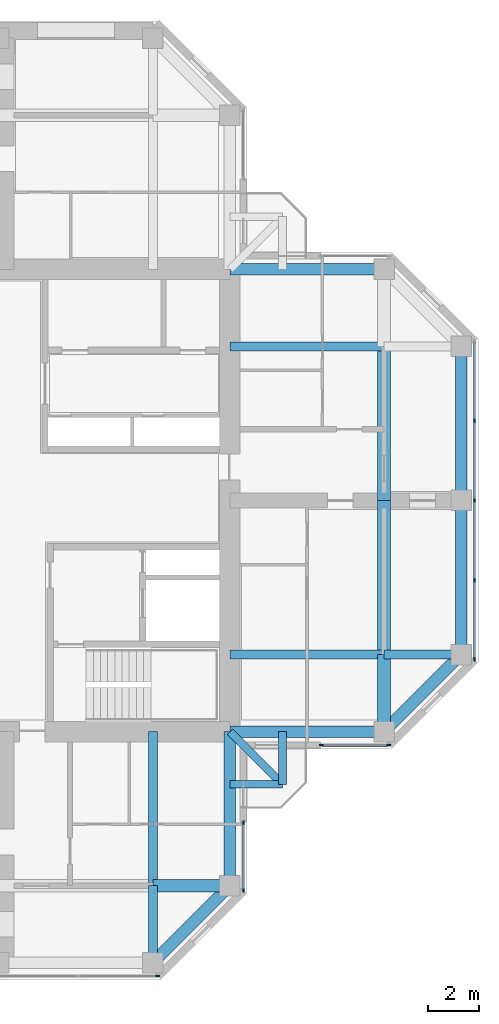
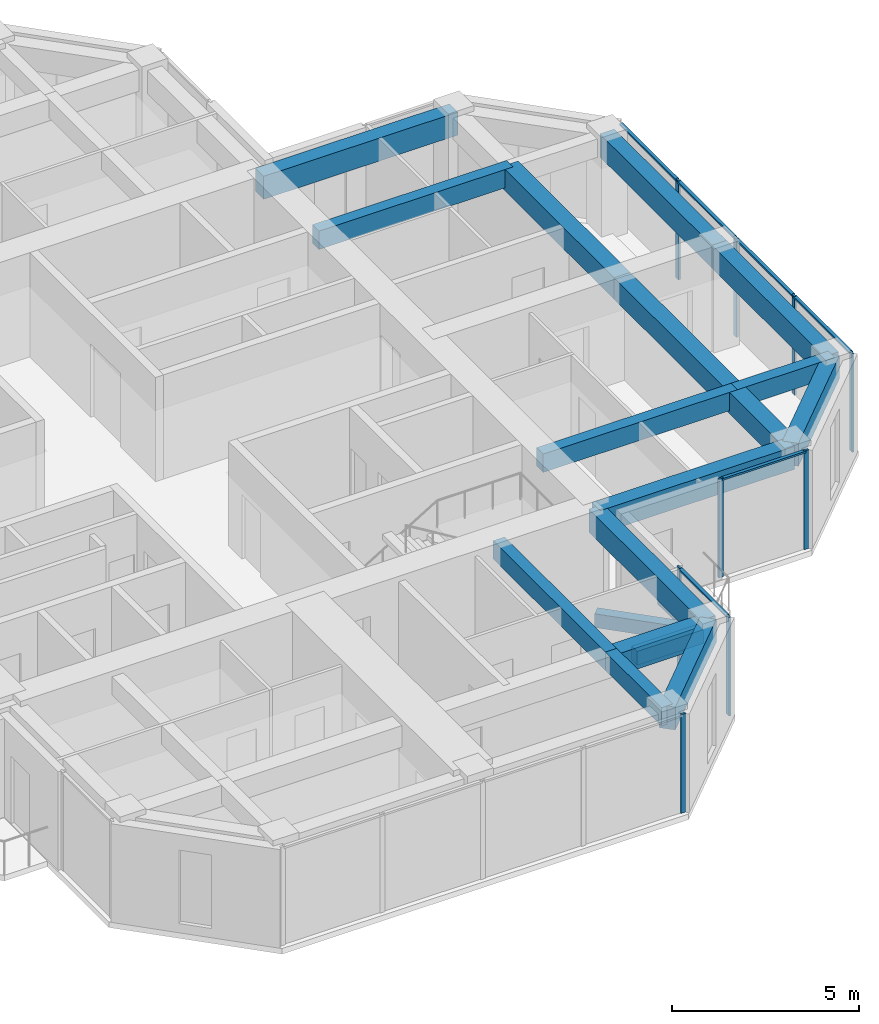
# One storey, part 5 of 13: 19 beams, 15 members, 4 elements without a shape of their own.
"""IFC4 building model written with IfcOpenShell, lengths in metres."""

from ifc_helpers import new_model, si_unit, direction, frame, origin, origin_2d, place, context, subcontext, project, spatial, rectangle, extrude, material, material_profile, profile_set, type_object, element, aggregate, save


model = new_model("IFC4")

# Units and contexts
model_context = context("Model", 3, precision=1e-05, world=origin(), true_north=direction((0.0, 1.0)))
body_context = subcontext(model_context, "Body", "Model", "MODEL_VIEW")
ifc_project = project(units=[si_unit("LENGTHUNIT", "METRE"), si_unit("AREAUNIT", "SQUARE_METRE"), si_unit("VOLUMEUNIT", "CUBIC_METRE"), si_unit("PLANEANGLEUNIT", "RADIAN"), si_unit("MASSUNIT", "GRAM", prefix="KILO")], contexts=[model_context])

# Site, building, storey
site_placement = place(None, origin())
site = spatial("IfcSite", under=ifc_project, at=site_placement, CompositionType="ELEMENT")
building_placement = place(site_placement, origin())
building = spatial("IfcBuilding", under=site, at=building_placement, Name="Torre Cruceta", CompositionType="ELEMENT")
storey_placement = place(building_placement, frame((0.0, 0.0, 239.10009765625)))
storey = spatial("IfcBuildingStorey", under=building, at=storey_placement, Name="L61", CompositionType="ELEMENT", Elevation=239.10009765625)

# Beams
ifc_material_1 = material(Name="Concrete G60 (fck 60 MPa)", Category="concrete")
ifc_material_profile_1 = material_profile(ifc_material_1, rectangle(XDim=0.300048828125, YDim=0.449951171875, at=origin_2d()), Name="RC 300X450")
ifc_profile_set_1 = profile_set([ifc_material_profile_1], Name="Concrete G60 (fck 60 MPa)")
beam_type_1 = type_object("IfcBeamType", Name="BALCONY CANTILEVER BEAM RC 300X450", PredefinedType="BEAM", material=ifc_profile_set_1)
beam_1_placement = place(storey_placement, frame((9.0, -9.0, -0.405029296875), z_axis=(0.707106781187, -0.707106781187, 0.0), x_axis=(0.707106781187, 0.707106781187, 0.0)))
element("IfcBeam", 1, at=beam_1_placement, inside=storey, type_object=beam_type_1, Name="BB1 balcony beam L61 S", PredefinedType="BEAM", context=body_context, shape_type="SweptSolid", body=[
    extrude(rectangle(XDim=0.300048828125, YDim=0.449951171875, at=origin_2d()), origin(), (0.0, 0.0, 1.0), 2.89990234375),
])
for number, where, z_axis, x_axis, name in (
    (2, (11.050537109375, -9.0, -0.405029296875), (0.0, -1.0, 0.0), (1.0, 0.0, 0.0), "BB1 balcony edge beam L61 S-X"),
    (3, (9.0, -11.050537109375, -0.405029296875), (1.0, 0.0, 0.0), (0.0, 1.0, 0.0), "BB1 balcony edge beam L61 S-Y"),
):
    element("IfcBeam", number, at=place(storey_placement, frame(where, z_axis=z_axis, x_axis=x_axis)), inside=storey, type_object=beam_type_1, Name=name, PredefinedType="BEAM", context=body_context, shape_type="SweptSolid", body=[
        extrude(rectangle(XDim=0.300048828125, YDim=0.449951171875, at=origin_2d()), origin(), (0.0, 0.0, 1.0), 2.050537109375),
    ])
ifc_material_2 = material(Name="Concrete G60 (fck 60 MPa)", Category="concrete")
ifc_material_profile_2 = material_profile(ifc_material_2, rectangle(XDim=0.35009765625, YDim=0.60009765625, at=origin_2d()), Name="RC 350X600")
ifc_profile_set_2 = profile_set([ifc_material_profile_2], Name="Concrete G60 (fck 60 MPa)")
beam_type_2 = type_object("IfcBeamType", Name="COLUMN LINE BEAM RC 350X600", PredefinedType="BEAM", material=ifc_profile_set_2)
beam_2_placement = place(storey_placement, frame((9.0, -6.0, 2.919921875), z_axis=(1.0, 0.0, 0.0), x_axis=(0.0, 1.0, 0.0)))
element("IfcBeam", 4, at=beam_2_placement, inside=storey, type_object=beam_type_2, Name="LB9 L61 E col- 1", PredefinedType="BEAM", context=body_context, shape_type="SweptSolid", body=[
    extrude(rectangle(XDim=0.35009765625, YDim=0.60009765625, at=origin_2d()), origin(), (0.0, 0.0, 1.0), 6.0),
])
beam_3_placement = place(storey_placement, frame((15.0, -6.0, 2.919921875), z_axis=(1.0, 0.0, 0.0), x_axis=(0.0, 1.0, 0.0)))
element("IfcBeam", 5, at=beam_3_placement, inside=storey, type_object=beam_type_2, Name="LB9 L61 E col- 2", PredefinedType="BEAM", context=body_context, shape_type="SweptSolid", body=[
    extrude(rectangle(XDim=0.35009765625, YDim=0.60009765625, at=origin_2d()), origin(), (0.0, 0.0, 1.0), 3.0),
])
for number, where, z_axis, x_axis, name in (
    (6, (9.0, 6.0, 2.919921875), (1.0, 0.0, 0.0), (0.0, 1.0, 0.0), "LB9 L61 E col+ 1"),
    (7, (6.0, -9.0, 2.919921875), (0.0, -1.0, 0.0), (1.0, 0.0, 0.0), "LB9 L61 S col+ 1"),
):
    element("IfcBeam", number, at=place(storey_placement, frame(where, z_axis=z_axis, x_axis=x_axis)), inside=storey, type_object=beam_type_2, Name=name, PredefinedType="BEAM", context=body_context, shape_type="SweptSolid", body=[
        extrude(rectangle(XDim=0.35009765625, YDim=0.60009765625, at=origin_2d()), origin(), (0.0, 0.0, 1.0), 6.0),
    ])
beam_4_placement = place(storey_placement, frame((6.0, -15.0, 2.919921875), z_axis=(0.0, -1.0, 0.0), x_axis=(1.0, 0.0, 0.0)))
element("IfcBeam", 8, at=beam_4_placement, inside=storey, type_object=beam_type_2, Name="LB9 L61 S col+ 2", PredefinedType="BEAM", context=body_context, shape_type="SweptSolid", body=[
    extrude(rectangle(XDim=0.35009765625, YDim=0.60009765625, at=origin_2d()), origin(), (0.0, 0.0, 1.0), 3.0),
])
ifc_material_3 = material(Name="Concrete G60 (fck 60 MPa)", Category="concrete")
ifc_material_profile_3 = material_profile(ifc_material_3, rectangle(XDim=0.5, YDim=0.699951171875, at=origin_2d()), Name="RC 500X700")
ifc_profile_set_3 = profile_set([ifc_material_profile_3], Name="Concrete G60 (fck 60 MPa)")
beam_type_3 = type_object("IfcBeamType", Name="CROSS BEAM RC 500X700", PredefinedType="BEAM", material=ifc_profile_set_3)
beam_5_placement = place(storey_placement, frame((15.0, -9.0, 2.869873046875), z_axis=(0.0, 1.0, 0.0), x_axis=(-1.0, 0.0, 0.0)))
element("IfcBeam", 9, at=beam_5_placement, inside=storey, type_object=beam_type_3, Name="GB7 L61 E cross15 1", PredefinedType="BEAM", context=body_context, shape_type="SweptSolid", body=[
    extrude(rectangle(XDim=0.5, YDim=0.699951171875, at=origin_2d()), origin(), (0.0, 0.0, 1.0), 3.0),
])
for number, where, z_axis, x_axis, name in (
    (10, (15.0, -6.0, 2.869873046875), (0.0, 1.0, 0.0), (-1.0, 0.0, 0.0), "GB7 L61 E cross15 2"),
    (11, (15.0, 0.0, 2.869873046875), (0.0, 1.0, 0.0), (-1.0, 0.0, 0.0), "GB7 L61 E cross15 3"),
):
    element("IfcBeam", number, at=place(storey_placement, frame(where, z_axis=z_axis, x_axis=x_axis)), inside=storey, type_object=beam_type_3, Name=name, PredefinedType="BEAM", context=body_context, shape_type="SweptSolid", body=[
        extrude(rectangle(XDim=0.5, YDim=0.699951171875, at=origin_2d()), origin(), (0.0, 0.0, 1.0), 6.0),
    ])
beam_6_placement = place(storey_placement, frame((6.0, -15.0, 2.869873046875), z_axis=(1.0, 0.0, 0.0), x_axis=(0.0, 1.0, 0.0)))
element("IfcBeam", 12, at=beam_6_placement, inside=storey, type_object=beam_type_3, Name="GB7 L61 S cross15 4", PredefinedType="BEAM", context=body_context, shape_type="SweptSolid", body=[
    extrude(rectangle(XDim=0.5, YDim=0.699951171875, at=origin_2d()), origin(), (0.0, 0.0, 1.0), 3.0),
])

# Curtain wall, members
ifc_material_4 = material(Name="Aluminium unitised curtain wall", Category="aluminium")
curtain_wall_type = type_object("IfcCurtainWallType", Name="CURTAIN WALL CW-D CO-LIVING UPPER", PredefinedType="USERDEFINED", material=ifc_material_4)
curtain_wall_1_placement = place(storey_placement, origin())
curtain_wall_1 = element("IfcCurtainWall", 13, at=curtain_wall_1_placement, inside=storey, type_object=curtain_wall_type, Name="CW-D L61 E side 00", ObjectType="UNITISED", PredefinedType="USERDEFINED")
ifc_material_5 = material(Name="Aluminium mullion", Category="aluminium")
ifc_material_profile_4 = material_profile(ifc_material_5, rectangle(XDim=0.06005859375, YDim=0.14990234375, at=origin_2d()), Name="AL 60X150")
ifc_profile_set_4 = profile_set([ifc_material_profile_4], Name="Aluminium mullion")
member_type_1 = type_object("IfcMemberType", Name="CW-D MULLION 60X150", PredefinedType="MULLION", material=ifc_profile_set_4)
member_1_placement = place(storey_placement, frame((12.550048828125, -9.52001953125, 0.0), z_axis=(0.0, 0.0, 1.0), x_axis=(0.0, 1.0, 0.0)))
member_1 = element("IfcMember", 14, at=member_1_placement, type_object=member_type_1, Name="CW-D mullion 1", PredefinedType="MULLION", context=body_context, shape_type="SweptSolid", body=[
    extrude(rectangle(XDim=0.06005859375, YDim=0.14990234375, at=origin_2d()), origin(), (0.0, 0.0, 1.0), 3.219970703125),
])
member_2_placement = place(storey_placement, frame((15.185302734375, -9.52001953125, 0.0), z_axis=(0.0, 0.0, 1.0), x_axis=(0.0, 1.0, 0.0)))
member_2 = element("IfcMember", 15, at=member_2_placement, type_object=member_type_1, Name="CW-D mullion 2", PredefinedType="MULLION", context=body_context, shape_type="SweptSolid", body=[
    extrude(rectangle(XDim=0.06005859375, YDim=0.14990234375, at=origin_2d()), origin(), (0.0, 0.0, 1.0), 3.219970703125),
])

curtain_wall_2_placement = place(storey_placement, origin())
curtain_wall_2 = element("IfcCurtainWall", 16, at=curtain_wall_2_placement, inside=storey, type_object=curtain_wall_type, Name="CW-D L61 E tip 02", ObjectType="UNITISED", PredefinedType="USERDEFINED")
member_3_placement = place(storey_placement, frame((18.52001953125, -6.185302734375, 0.0), z_axis=(0.0, 0.0, 1.0), x_axis=(-1.0, 0.0, 0.0)))
member_3 = element("IfcMember", 17, at=member_3_placement, type_object=member_type_1, Name="CW-D mullion 1", PredefinedType="MULLION", context=body_context, shape_type="SweptSolid", body=[
    extrude(rectangle(XDim=0.06005859375, YDim=0.14990234375, at=origin_2d()), origin(), (0.0, 0.0, 1.0), 3.219970703125),
])
member_4_placement = place(storey_placement, frame((18.52001953125, -3.107666015625, 0.0), z_axis=(0.0, 0.0, 1.0), x_axis=(-1.0, 0.0, 0.0)))
member_4 = element("IfcMember", 18, at=member_4_placement, type_object=member_type_1, Name="CW-D mullion 2", PredefinedType="MULLION", context=body_context, shape_type="SweptSolid", body=[
    extrude(rectangle(XDim=0.06005859375, YDim=0.14990234375, at=origin_2d()), origin(), (0.0, 0.0, 1.0), 3.219970703125),
])
member_5_placement = place(storey_placement, frame((18.52001953125, 0.0, 0.0), z_axis=(0.0, 0.0, 1.0), x_axis=(-1.0, 0.0, 0.0)))
member_5 = element("IfcMember", 19, at=member_5_placement, type_object=member_type_1, Name="CW-D mullion 3", PredefinedType="MULLION", context=body_context, shape_type="SweptSolid", body=[
    extrude(rectangle(XDim=0.06005859375, YDim=0.14990234375, at=origin_2d()), origin(), (0.0, 0.0, 1.0), 3.219970703125),
])
member_6_placement = place(storey_placement, frame((18.52001953125, 3.107666015625, 0.0), z_axis=(0.0, 0.0, 1.0), x_axis=(-1.0, 0.0, 0.0)))
member_6 = element("IfcMember", 20, at=member_6_placement, type_object=member_type_1, Name="CW-D mullion 4", PredefinedType="MULLION", context=body_context, shape_type="SweptSolid", body=[
    extrude(rectangle(XDim=0.06005859375, YDim=0.14990234375, at=origin_2d()), origin(), (0.0, 0.0, 1.0), 3.219970703125),
])

# Curtain wall, member
curtain_wall_3_placement = place(storey_placement, origin())
curtain_wall_3 = element("IfcCurtainWall", 21, at=curtain_wall_3_placement, inside=storey, type_object=curtain_wall_type, Name="CW-D L61 S tip 17", ObjectType="UNITISED", PredefinedType="USERDEFINED")
member_7_placement = place(storey_placement, frame((6.185302734375, -18.52001953125, 0.0), z_axis=(0.0, 0.0, 1.0), x_axis=(0.0, 1.0, 0.0)))
member_7 = element("IfcMember", 22, at=member_7_placement, type_object=member_type_1, Name="CW-D mullion 5", PredefinedType="MULLION", context=body_context, shape_type="SweptSolid", body=[
    extrude(rectangle(XDim=0.06005859375, YDim=0.14990234375, at=origin_2d()), origin(), (0.0, 0.0, 1.0), 3.219970703125),
])
aggregate(curtain_wall_3, [member_7])

# Curtain wall, members
curtain_wall_4_placement = place(storey_placement, origin())
curtain_wall_4 = element("IfcCurtainWall", 23, at=curtain_wall_4_placement, inside=storey, type_object=curtain_wall_type, Name="CW-D L61 S side 19", ObjectType="UNITISED", PredefinedType="USERDEFINED")
member_8_placement = place(storey_placement, frame((9.52001953125, -15.185302734375, 0.0), z_axis=(0.0, 0.0, 1.0), x_axis=(-1.0, 0.0, 0.0)))
member_8 = element("IfcMember", 24, at=member_8_placement, type_object=member_type_1, Name="CW-D mullion 1", PredefinedType="MULLION", context=body_context, shape_type="SweptSolid", body=[
    extrude(rectangle(XDim=0.06005859375, YDim=0.14990234375, at=origin_2d()), origin(), (0.0, 0.0, 1.0), 3.219970703125),
])
member_9_placement = place(storey_placement, frame((9.52001953125, -12.550048828125, 0.0), z_axis=(0.0, 0.0, 1.0), x_axis=(-1.0, 0.0, 0.0)))
member_9 = element("IfcMember", 25, at=member_9_placement, type_object=member_type_1, Name="CW-D mullion 2", PredefinedType="MULLION", context=body_context, shape_type="SweptSolid", body=[
    extrude(rectangle(XDim=0.06005859375, YDim=0.14990234375, at=origin_2d()), origin(), (0.0, 0.0, 1.0), 3.219970703125),
])

# Member
ifc_material_6 = material(Name="Aluminium transom", Category="aluminium")
ifc_material_profile_5 = material_profile(ifc_material_6, rectangle(XDim=0.10009765625, YDim=0.06005859375, at=origin_2d()), Name="AL 100X60")
ifc_profile_set_5 = profile_set([ifc_material_profile_5], Name="Aluminium transom")
member_type_2 = type_object("IfcMemberType", Name="CW-D TRANSOM 60X100", PredefinedType="USERDEFINED", material=ifc_profile_set_5)
member_10_placement = place(storey_placement, frame((12.580078125, -9.52001953125, 3.18994140625), z_axis=(1.0, 0.0, 0.0), x_axis=(0.0, 1.0, 0.0)))
member_10 = element("IfcMember", 26, at=member_10_placement, type_object=member_type_2, Name="CW-D transom 1", ObjectType="TRANSOM", PredefinedType="USERDEFINED", context=body_context, shape_type="SweptSolid", body=[
    extrude(rectangle(XDim=0.10009765625, YDim=0.06005859375, at=origin_2d()), origin(), (0.0, 0.0, 1.0), 2.5751953125),
])

aggregate(curtain_wall_1, [member_1, member_2, member_10])

member_11_placement = place(storey_placement, frame((18.52001953125, -6.1552734375, 3.18994140625), z_axis=(0.0, 1.0, 0.0), x_axis=(-1.0, 0.0, 0.0)))
member_11 = element("IfcMember", 27, at=member_11_placement, type_object=member_type_2, Name="CW-D transom 1", ObjectType="TRANSOM", PredefinedType="USERDEFINED", context=body_context, shape_type="SweptSolid", body=[
    extrude(rectangle(XDim=0.10009765625, YDim=0.06005859375, at=origin_2d()), origin(), (0.0, 0.0, 1.0), 3.017578125),
])

member_12_placement = place(storey_placement, frame((18.52001953125, -3.07763671875, 3.18994140625), z_axis=(0.0, 1.0, 0.0), x_axis=(-1.0, 0.0, 0.0)))
member_12 = element("IfcMember", 28, at=member_12_placement, type_object=member_type_2, Name="CW-D transom 2", ObjectType="TRANSOM", PredefinedType="USERDEFINED", context=body_context, shape_type="SweptSolid", body=[
    extrude(rectangle(XDim=0.10009765625, YDim=0.06005859375, at=origin_2d()), origin(), (0.0, 0.0, 1.0), 3.047607421875),
])

member_13_placement = place(storey_placement, frame((18.52001953125, 0.030029296875, 3.18994140625), z_axis=(0.0, 1.0, 0.0), x_axis=(-1.0, 0.0, 0.0)))
member_13 = element("IfcMember", 29, at=member_13_placement, type_object=member_type_2, Name="CW-D transom 3", ObjectType="TRANSOM", PredefinedType="USERDEFINED", context=body_context, shape_type="SweptSolid", body=[
    extrude(rectangle(XDim=0.10009765625, YDim=0.06005859375, at=origin_2d()), origin(), (0.0, 0.0, 1.0), 3.047607421875),
])

member_14_placement = place(storey_placement, frame((18.52001953125, 3.1376953125, 3.18994140625), z_axis=(0.0, 1.0, 0.0), x_axis=(-1.0, 0.0, 0.0)))
member_14 = element("IfcMember", 30, at=member_14_placement, type_object=member_type_2, Name="CW-D transom 4", ObjectType="TRANSOM", PredefinedType="USERDEFINED", context=body_context, shape_type="SweptSolid", body=[
    extrude(rectangle(XDim=0.10009765625, YDim=0.06005859375, at=origin_2d()), origin(), (0.0, 0.0, 1.0), 3.017578125),
])

aggregate(curtain_wall_2, [member_3, member_4, member_5, member_6, member_11, member_12, member_13, member_14])

member_15_placement = place(storey_placement, frame((9.52001953125, -15.1552734375, 3.18994140625), z_axis=(0.0, 1.0, 0.0), x_axis=(-1.0, 0.0, 0.0)))
member_15 = element("IfcMember", 31, at=member_15_placement, type_object=member_type_2, Name="CW-D transom 1", ObjectType="TRANSOM", PredefinedType="USERDEFINED", context=body_context, shape_type="SweptSolid", body=[
    extrude(rectangle(XDim=0.10009765625, YDim=0.06005859375, at=origin_2d()), origin(), (0.0, 0.0, 1.0), 2.5751953125),
])

aggregate(curtain_wall_4, [member_8, member_9, member_15])

# Beams
ifc_material_7 = material(Name="Concrete G60 (fck 60 MPa)", Category="concrete")
ifc_material_profile_6 = material_profile(ifc_material_7, rectangle(XDim=0.449951171875, YDim=0.75, at=origin_2d()), Name="RC 450X750")
ifc_profile_set_6 = profile_set([ifc_material_profile_6], Name="Concrete G60 (fck 60 MPa)")
beam_type_4 = type_object("IfcBeamType", Name="SPANDREL BEAM RC 450X750", PredefinedType="SPANDREL", material=ifc_profile_set_6)
beam_7_placement = place(storey_placement, frame((9.0, -9.0, 2.844970703125), z_axis=(1.0, 0.0, 0.0), x_axis=(0.0, 1.0, 0.0)))
element("IfcBeam", 32, at=beam_7_placement, inside=storey, type_object=beam_type_4, Name="SB7 L61 E side- 1", PredefinedType="SPANDREL", context=body_context, shape_type="SweptSolid", body=[
    extrude(rectangle(XDim=0.449951171875, YDim=0.75, at=origin_2d()), origin(), (0.0, 0.0, 1.0), 6.0),
])
beam_8_placement = place(storey_placement, frame((15.0, -9.0, 2.844970703125), z_axis=(0.707106781187, 0.707106781187, 0.0), x_axis=(-0.707106781187, 0.707106781187, 0.0)))
element("IfcBeam", 33, at=beam_8_placement, inside=storey, type_object=beam_type_4, Name="SB7 L61 E side- 2", PredefinedType="SPANDREL", context=body_context, shape_type="SweptSolid", body=[
    extrude(rectangle(XDim=0.449951171875, YDim=0.75, at=origin_2d()), origin(), (0.0, 0.0, 1.0), 4.24267578125),
])
for number, where, z_axis, x_axis, name in (
    (34, (9.0, 9.0, 2.844970703125), (1.0, 0.0, 0.0), (0.0, 1.0, 0.0), "SB7 L61 E side+ 1"),
    (35, (18.0, -6.0, 2.844970703125), (0.0, 1.0, 0.0), (-1.0, 0.0, 0.0), "SB7 L61 E tip 1"),
    (36, (18.0, 0.0, 2.844970703125), (0.0, 1.0, 0.0), (-1.0, 0.0, 0.0), "SB7 L61 E tip 2"),
    (37, (9.0, -9.0, 2.844970703125), (0.0, -1.0, 0.0), (1.0, 0.0, 0.0), "SB7 L61 S side+ 1"),
):
    element("IfcBeam", number, at=place(storey_placement, frame(where, z_axis=z_axis, x_axis=x_axis)), inside=storey, type_object=beam_type_4, Name=name, PredefinedType="SPANDREL", context=body_context, shape_type="SweptSolid", body=[
        extrude(rectangle(XDim=0.449951171875, YDim=0.75, at=origin_2d()), origin(), (0.0, 0.0, 1.0), 6.0),
    ])
beam_9_placement = place(storey_placement, frame((9.0, -15.0, 2.844970703125), z_axis=(-0.707106781187, -0.707106781187, 0.0), x_axis=(0.707106781187, -0.707106781187, 0.0)))
element("IfcBeam", 38, at=beam_9_placement, inside=storey, type_object=beam_type_4, Name="SB7 L61 S side+ 2", PredefinedType="SPANDREL", context=body_context, shape_type="SweptSolid", body=[
    extrude(rectangle(XDim=0.449951171875, YDim=0.75, at=origin_2d()), origin(), (0.0, 0.0, 1.0), 4.24267578125),
])

save(model, "model.ifc")
